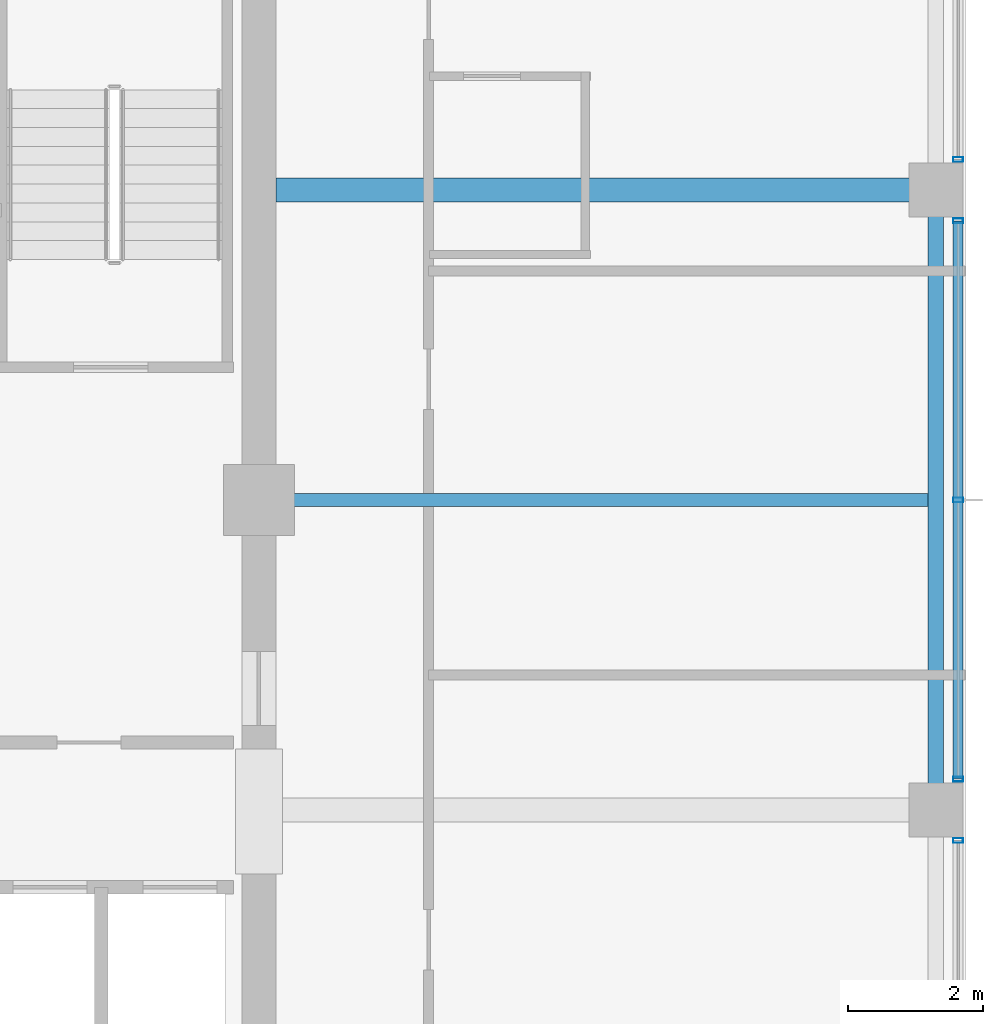
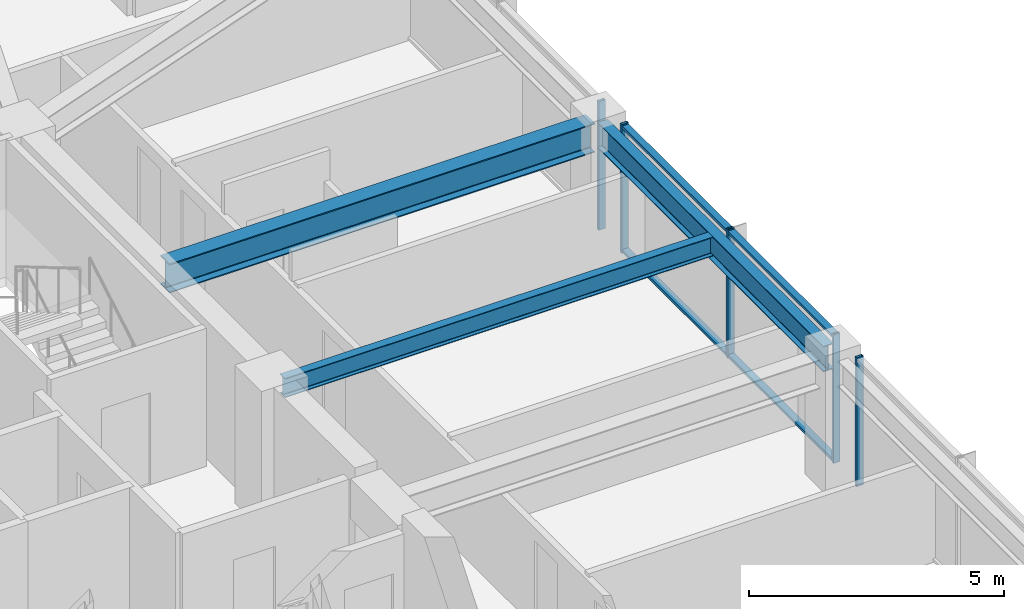
# One storey, part 13 of 36: 7 members, 3 beams, 3 elements without a shape of their own.
"""IFC4 building model written with IfcOpenShell, lengths in metres."""

from ifc_helpers import new_model, si_unit, direction, frame, origin, origin_2d, place, context, subcontext, project, spatial, hollow_rectangle, i_section, extrude, material, material_profile, profile_set, type_object, element, aggregate, save


model = new_model("IFC4")

# Units and contexts
model_context = context("Model", 3, precision=1e-05, world=origin(), true_north=direction((0.0, 1.0)))
body_context = subcontext(model_context, "Body", "Model", "MODEL_VIEW")
ifc_project = project(units=[si_unit("LENGTHUNIT", "METRE"), si_unit("AREAUNIT", "SQUARE_METRE"), si_unit("VOLUMEUNIT", "CUBIC_METRE"), si_unit("PLANEANGLEUNIT", "RADIAN"), si_unit("MASSUNIT", "GRAM", prefix="KILO")], contexts=[model_context])

# Site, building, storey
site_placement = place(None, origin())
site = spatial("IfcSite", under=ifc_project, at=site_placement, CompositionType="ELEMENT")
building_placement = place(site_placement, origin())
building = spatial("IfcBuilding", under=site, at=building_placement, Name="Kolvaren Belvedere", CompositionType="ELEMENT")
storey_placement = place(building_placement, frame((0.0, 0.0, 199.800048828125)))
storey = spatial("IfcBuildingStorey", under=building, at=storey_placement, Name="L58", CompositionType="ELEMENT", Elevation=199.800048828125)

# Beams
ifc_material_1 = material(Name="Structural steel ASTM A992 Grade 50", Category="steel")
ifc_material_profile_1 = material_profile(ifc_material_1, i_section(OverallWidth=0.35498046875, OverallDepth=0.696044921875, WebThickness=0.015380859375, FlangeThickness=0.02490234375, FilletRadius=0.02197265625, at=origin_2d()), Name="W27X146")
ifc_profile_set_1 = profile_set([ifc_material_profile_1], Name="Structural steel ASTM A992 Grade 50")
beam_type_1 = type_object("IfcBeamType", Name="BM-GIRD-W27X146", PredefinedType="BEAM", material=ifc_profile_set_1)
beam_1_placement = place(storey_placement, frame((10.14990234375, 4.60009765625, 2.73193359375), z_axis=(1.0, 0.0, 0.0), x_axis=(0.0, 1.0, 0.0)))
element("IfcBeam", 1, at=beam_1_placement, inside=storey, type_object=beam_type_1, Name="L58 East Radial Girder P", PredefinedType="BEAM", context=body_context, shape_type="SweptSolid", body=[
    extrude(i_section(OverallWidth=0.35498046875, OverallDepth=0.696044921875, WebThickness=0.015380859375, FlangeThickness=0.02490234375, FilletRadius=0.02197265625, at=origin_2d()), origin(), (0.0, 0.0, 1.0), 9.6201171875),
])
ifc_material_2 = material(Name="Structural steel ASTM A992 Grade 50", Category="steel")
ifc_material_profile_2 = material_profile(ifc_material_2, i_section(OverallWidth=0.19091796875, OverallDepth=0.4599609375, WebThickness=0.010009765625, FlangeThickness=0.01611328125, FilletRadius=0.014892578125, at=origin_2d()), Name="W18X55")
ifc_profile_set_2 = profile_set([ifc_material_profile_2], Name="Structural steel ASTM A992 Grade 50")
beam_type_2 = type_object("IfcBeamType", Name="BM-JOIST-W18X55", PredefinedType="BEAM", material=ifc_profile_set_2)
beam_2_placement = place(storey_placement, frame((10.14990234375, 0.0, 2.849853515625), z_axis=(1.0, 0.0, 0.0), x_axis=(0.0, 1.0, 0.0)))
element("IfcBeam", 2, at=beam_2_placement, inside=storey, type_object=beam_type_2, Name="L58 East Centre Floor Beam", PredefinedType="BEAM", context=body_context, shape_type="SweptSolid", body=[
    extrude(i_section(OverallWidth=0.19091796875, OverallDepth=0.4599609375, WebThickness=0.010009765625, FlangeThickness=0.01611328125, FilletRadius=0.014892578125, at=origin_2d()), origin(), (0.0, 0.0, 1.0), 9.685546875),
])
ifc_material_3 = material(Name="Structural steel ASTM A992 Grade 50", Category="steel")
ifc_material_profile_3 = material_profile(ifc_material_3, i_section(OverallWidth=0.22900390625, OverallDepth=0.612060546875, WebThickness=0.011962890625, FlangeThickness=0.01953125, FilletRadius=0.01806640625, at=origin_2d()), Name="W24X84")
ifc_profile_set_3 = profile_set([ifc_material_profile_3], Name="Structural steel ASTM A992 Grade 50")
beam_type_3 = type_object("IfcBeamType", Name="BM-SPAN-W24X84", PredefinedType="SPANDREL", material=ifc_profile_set_3)
beam_3_placement = place(storey_placement, frame((19.949951171875, -4.419921875, 2.77392578125), z_axis=(0.0, 1.0, 0.0), x_axis=(-1.0, 0.0, 0.0)))
element("IfcBeam", 3, at=beam_3_placement, inside=storey, type_object=beam_type_3, Name="L58 Perimeter Spandrel E2-E3", PredefinedType="SPANDREL", context=body_context, shape_type="SweptSolid", body=[
    extrude(i_section(OverallWidth=0.22900390625, OverallDepth=0.612060546875, WebThickness=0.011962890625, FlangeThickness=0.01953125, FilletRadius=0.01806640625, at=origin_2d()), origin(), (0.0, 0.0, 1.0), 8.83984375),
])

# Curtain wall, member
ifc_material_4 = material(Name="Anodised pale-metal aluminium AA 6063-T6", Category="aluminium")
curtain_wall_type = type_object("IfcCurtainWallType", Name="CW-Z5-HIGH", PredefinedType="NOTDEFINED", material=ifc_material_4)
curtain_wall_1_placement = place(storey_placement, origin())
curtain_wall_1 = element("IfcCurtainWall", 4, at=curtain_wall_1_placement, inside=storey, type_object=curtain_wall_type, Name="L58 Unitised Curtain Wall FCW-L58-E-B1", PredefinedType="NOTDEFINED")
ifc_material_5 = material(Name="Anodised pale-metal aluminium AA 6063-T6", Category="aluminium")
ifc_material_profile_4 = material_profile(ifc_material_5, hollow_rectangle(XDim=0.070068359375, YDim=0.14990234375, WallThickness=0.004150390625, at=origin_2d()), Name="ALU-MUL-150X70")
ifc_profile_set_4 = profile_set([ifc_material_profile_4], Name="Anodised pale-metal aluminium AA 6063-T6")
member_type_1 = type_object("IfcMemberType", Name="CW-MUL-150", PredefinedType="MULLION", material=ifc_profile_set_4)
member_1_placement = place(storey_placement, frame((20.280029296875, 5.054931640625, 0.0), z_axis=(0.0, 0.0, 1.0), x_axis=(0.0, 1.0, 0.0)))
member_1 = element("IfcMember", 5, at=member_1_placement, type_object=member_type_1, Name="FCW-L58-E-B1 Unitised Mullion 3", PredefinedType="MULLION", context=body_context, shape_type="SweptSolid", body=[
    extrude(hollow_rectangle(XDim=0.070068359375, YDim=0.14990234375, WallThickness=0.004150390625, at=origin_2d()), origin(), (0.0, 0.0, 1.0), 3.079833984375),
])
aggregate(curtain_wall_1, [member_1])

# Curtain wall, members
curtain_wall_2_placement = place(storey_placement, origin())
curtain_wall_2 = element("IfcCurtainWall", 6, at=curtain_wall_2_placement, inside=storey, type_object=curtain_wall_type, Name="L58 Unitised Curtain Wall FCW-L58-E-B2", PredefinedType="NOTDEFINED")
member_2_placement = place(storey_placement, frame((20.280029296875, 4.14501953125, 0.0), z_axis=(0.0, 0.0, 1.0), x_axis=(0.0, 1.0, 0.0)))
member_2 = element("IfcMember", 7, at=member_2_placement, type_object=member_type_1, Name="FCW-L58-E-B2 Unitised Mullion 1", PredefinedType="MULLION", context=body_context, shape_type="SweptSolid", body=[
    extrude(hollow_rectangle(XDim=0.070068359375, YDim=0.14990234375, WallThickness=0.004150390625, at=origin_2d()), origin(), (0.0, 0.0, 1.0), 3.079833984375),
])
member_3_placement = place(storey_placement, frame((20.280029296875, 0.0, 0.0), z_axis=(0.0, 0.0, 1.0), x_axis=(0.0, 1.0, 0.0)))
member_3 = element("IfcMember", 8, at=member_3_placement, type_object=member_type_1, Name="FCW-L58-E-B2 Unitised Mullion 2", PredefinedType="MULLION", context=body_context, shape_type="SweptSolid", body=[
    extrude(hollow_rectangle(XDim=0.070068359375, YDim=0.14990234375, WallThickness=0.004150390625, at=origin_2d()), origin(), (0.0, 0.0, 1.0), 3.079833984375),
])
member_4_placement = place(storey_placement, frame((20.280029296875, -4.14501953125, 0.0), z_axis=(0.0, 0.0, 1.0), x_axis=(0.0, 1.0, 0.0)))
member_4 = element("IfcMember", 9, at=member_4_placement, type_object=member_type_1, Name="FCW-L58-E-B2 Unitised Mullion 3", PredefinedType="MULLION", context=body_context, shape_type="SweptSolid", body=[
    extrude(hollow_rectangle(XDim=0.070068359375, YDim=0.14990234375, WallThickness=0.004150390625, at=origin_2d()), origin(), (0.0, 0.0, 1.0), 3.079833984375),
])

# Curtain wall, member
curtain_wall_3_placement = place(storey_placement, origin())
curtain_wall_3 = element("IfcCurtainWall", 10, at=curtain_wall_3_placement, inside=storey, type_object=curtain_wall_type, Name="L58 Unitised Curtain Wall FCW-L58-E-B3", PredefinedType="NOTDEFINED")
member_5_placement = place(storey_placement, frame((20.280029296875, -5.054931640625, 0.0), z_axis=(0.0, 0.0, 1.0), x_axis=(0.0, 1.0, 0.0)))
member_5 = element("IfcMember", 11, at=member_5_placement, type_object=member_type_1, Name="FCW-L58-E-B3 Unitised Mullion 1", PredefinedType="MULLION", context=body_context, shape_type="SweptSolid", body=[
    extrude(hollow_rectangle(XDim=0.070068359375, YDim=0.14990234375, WallThickness=0.004150390625, at=origin_2d()), origin(), (0.0, 0.0, 1.0), 3.079833984375),
])
aggregate(curtain_wall_3, [member_5])

# Member
ifc_material_6 = material(Name="Anodised pale-metal aluminium AA 6063-T6", Category="aluminium")
ifc_material_profile_5 = material_profile(ifc_material_6, hollow_rectangle(XDim=0.06494140625, YDim=0.14990234375, WallThickness=0.00390625, at=origin_2d()), Name="ALU-TRN-150X65")
ifc_profile_set_5 = profile_set([ifc_material_profile_5], Name="Anodised pale-metal aluminium AA 6063-T6")
member_type_2 = type_object("IfcMemberType", Name="CW-TRN-150", PredefinedType="USERDEFINED", material=ifc_profile_set_5)
member_6_placement = place(storey_placement, frame((20.280029296875, 4.14501953125, 0.06005859375), z_axis=(0.0, -1.0, 0.0), x_axis=(0.0, 0.0, 1.0)))
member_6 = element("IfcMember", 12, at=member_6_placement, type_object=member_type_2, Name="FCW-L58-E-B2 Sill Transom", ObjectType="TRANSOM", PredefinedType="USERDEFINED", context=body_context, shape_type="SweptSolid", body=[
    extrude(hollow_rectangle(XDim=0.06494140625, YDim=0.14990234375, WallThickness=0.00390625, at=origin_2d()), origin(), (0.0, 0.0, 1.0), 8.2900390625),
])

member_7_placement = place(storey_placement, frame((20.280029296875, 4.14501953125, 3.02001953125), z_axis=(0.0, -1.0, 0.0), x_axis=(0.0, 0.0, 1.0)))
member_7 = element("IfcMember", 13, at=member_7_placement, type_object=member_type_2, Name="FCW-L58-E-B2 Head Transom", ObjectType="TRANSOM", PredefinedType="USERDEFINED", context=body_context, shape_type="SweptSolid", body=[
    extrude(hollow_rectangle(XDim=0.06494140625, YDim=0.14990234375, WallThickness=0.00390625, at=origin_2d()), origin(), (0.0, 0.0, 1.0), 8.2900390625),
])

aggregate(curtain_wall_2, [member_2, member_3, member_4, member_6, member_7])

save(model, "model.ifc")
